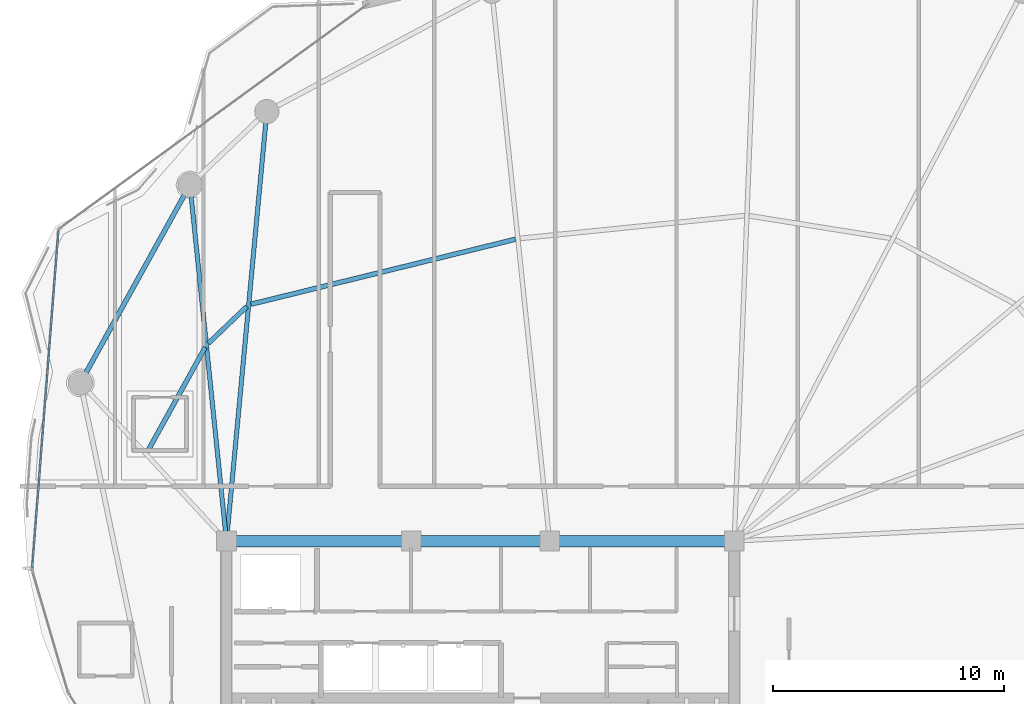
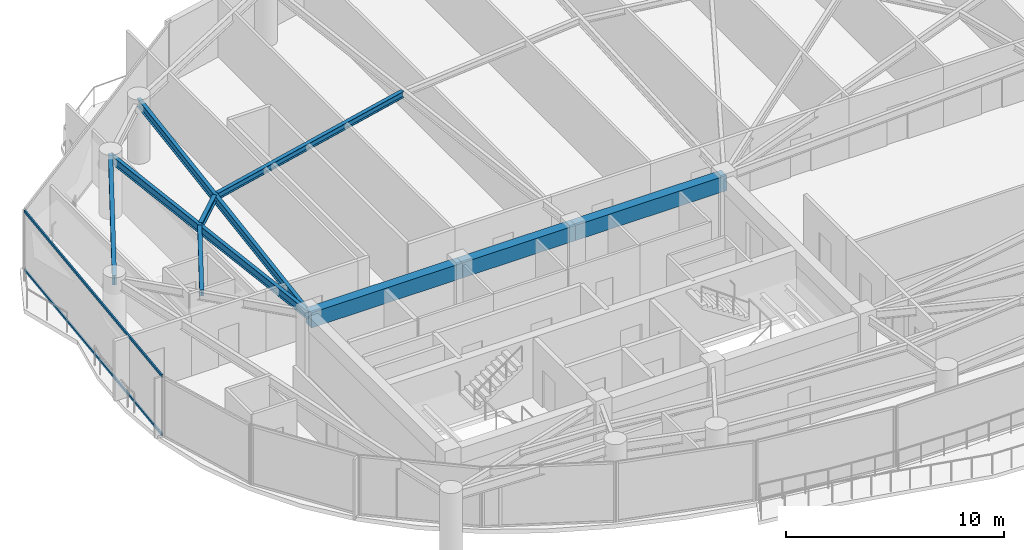
# One storey, part 9 of 31: 9 beams, 2 members, 1 element without a shape of its own.
"""IFC4 building model written with IfcOpenShell, lengths in metres."""

from ifc_helpers import new_model, si_unit, direction, frame, origin, origin_2d, place, context, subcontext, project, spatial, rectangle, hollow_rectangle, i_section, extrude, material, layer, layer_set, material_profile, profile_set, type_object, element, aggregate, save


model = new_model("IFC4")

# Units and contexts
model_context = context("Model", 3, precision=1e-05, world=origin(), true_north=direction((0.0, 1.0)))
body_context = subcontext(model_context, "Body", "Model", "MODEL_VIEW")
ifc_project = project(units=[si_unit("LENGTHUNIT", "METRE"), si_unit("AREAUNIT", "SQUARE_METRE"), si_unit("VOLUMEUNIT", "CUBIC_METRE"), si_unit("PLANEANGLEUNIT", "RADIAN"), si_unit("MASSUNIT", "GRAM", prefix="KILO")], contexts=[model_context])

# Site, building, storey
site_placement = place(None, origin())
site = spatial("IfcSite", under=ifc_project, at=site_placement, CompositionType="ELEMENT")
building_placement = place(site_placement, origin())
building = spatial("IfcBuilding", under=site, at=building_placement, Name="Kazevale Care Tower and Concert Hall", CompositionType="ELEMENT")
storey_placement = place(building_placement, frame((0.0, 0.0, 202.800048828125)))
storey = spatial("IfcBuildingStorey", under=building, at=storey_placement, Name="L53", CompositionType="ELEMENT", Elevation=202.800048828125)

# Curtain wall, members
ifc_material_1 = material(Name="Aluminium 6063-T6 and Low-E Glass", Category="aluminium")
ifc_layer = layer(ifc_material_1, 0.179931640625)
ifc_layer_set = layer_set([ifc_layer], Name="Aluminium 6063-T6 and Low-E Glass")
curtain_wall_type = type_object("IfcCurtainWallType", Name="Waist & Upper Residential Curtain Wall CW-4", PredefinedType="NOTDEFINED", material=ifc_layer_set)
curtain_wall_placement = place(storey_placement, origin())
curtain_wall = element("IfcCurtainWall", 1, at=curtain_wall_placement, inside=storey, type_object=curtain_wall_type, Name="cw:L53:f13", PredefinedType="NOTDEFINED")
ifc_material_2 = material(Name="Aluminium 6063-T6", Category="aluminium")
ifc_material_profile_1 = material_profile(ifc_material_2, hollow_rectangle(XDim=0.080078125, YDim=0.139892578125, WallThickness=0.00390625, at=origin_2d()), Name="ALU80x140x4")
ifc_profile_set_1 = profile_set([ifc_material_profile_1], Name="Aluminium 6063-T6")
member_type = type_object("IfcMemberType", Name="CW-4 Transom ALU80x140x4", PredefinedType="USERDEFINED", material=ifc_profile_set_1)
member_1_placement = place(storey_placement, frame((13.585205078125, 35.23681640625, 0.0400390625), z_axis=(0.077534740898, 0.996989650876, 0.0), x_axis=(-0.996989650876, 0.077534740898, 0.0)))
member_1 = element("IfcMember", 2, at=member_1_placement, type_object=member_type, Name="CW-4 transom 1.1", ObjectType="TRANSOM", PredefinedType="USERDEFINED", context=body_context, shape_type="SweptSolid", body=[
    extrude(hollow_rectangle(XDim=0.080078125, YDim=0.139892578125, WallThickness=0.00390625, at=origin_2d()), origin(), (0.0, 0.0, 1.0), 14.63232421875),
])
member_2_placement = place(storey_placement, frame((13.585205078125, 35.23681640625, 3.320068359375), z_axis=(0.077534740898, 0.996989650876, 0.0), x_axis=(-0.996989650876, 0.077534740898, 0.0)))
member_2 = element("IfcMember", 3, at=member_2_placement, type_object=member_type, Name="CW-4 transom 1.2", ObjectType="TRANSOM", PredefinedType="USERDEFINED", context=body_context, shape_type="SweptSolid", body=[
    extrude(hollow_rectangle(XDim=0.080078125, YDim=0.139892578125, WallThickness=0.00390625, at=origin_2d()), origin(), (0.0, 0.0, 1.0), 14.63232421875),
])
aggregate(curtain_wall, [member_1, member_2])

# Beams
ifc_material_3 = material(Name="Concrete C60", Category="concrete")
ifc_material_profile_2 = material_profile(ifc_material_3, rectangle(XDim=0.5, YDim=0.85009765625, at=origin_2d()), Name="RC-B500x850")
ifc_profile_set_2 = profile_set([ifc_material_profile_2], Name="Concrete C60")
beam_type_1 = type_object("IfcBeamType", Name="Core Coupling Beam RC500x850", PredefinedType="LINTEL", material=ifc_profile_set_2)
beam_1_placement = place(storey_placement, frame((44.0, 36.39990234375, 2.93505859375), z_axis=(-1.0, 0.0, 0.0), x_axis=(0.0, -1.0, 0.0)))
element("IfcBeam", 4, at=beam_1_placement, inside=storey, type_object=beam_type_1, Name="beam:L53:coretie:5", PredefinedType="LINTEL", context=body_context, shape_type="SweptSolid", body=[
    extrude(rectangle(XDim=0.5, YDim=0.85009765625, at=origin_2d()), origin(), (0.0, 0.0, 1.0), 8.0),
])
beam_2_placement = place(storey_placement, frame((36.0, 36.39990234375, 2.93505859375), z_axis=(-1.0, 0.0, 0.0), x_axis=(0.0, -1.0, 0.0)))
element("IfcBeam", 5, at=beam_2_placement, inside=storey, type_object=beam_type_1, Name="beam:L53:coretie:6", PredefinedType="LINTEL", context=body_context, shape_type="SweptSolid", body=[
    extrude(rectangle(XDim=0.5, YDim=0.85009765625, at=origin_2d()), origin(), (0.0, 0.0, 1.0), 6.0),
])
beam_3_placement = place(storey_placement, frame((30.0, 36.39990234375, 2.93505859375), z_axis=(-1.0, 0.0, 0.0), x_axis=(0.0, -1.0, 0.0)))
element("IfcBeam", 6, at=beam_3_placement, inside=storey, type_object=beam_type_1, Name="beam:L53:coretie:7", PredefinedType="LINTEL", context=body_context, shape_type="SweptSolid", body=[
    extrude(rectangle(XDim=0.5, YDim=0.85009765625, at=origin_2d()), origin(), (0.0, 0.0, 1.0), 8.0),
])
ifc_material_4 = material(Name="Steel ASTM A572 Gr 50", Category="steel")
ifc_material_profile_3 = material_profile(ifc_material_4, i_section(OverallWidth=0.19091796875, OverallDepth=0.4599609375, WebThickness=0.010009765625, FlangeThickness=0.01611328125, at=origin_2d()), Name="W460x82")
ifc_profile_set_3 = profile_set([ifc_material_profile_3], Name="Steel ASTM A572 Gr 50")
beam_type_2 = type_object("IfcBeamType", Name="Radial Floor Beam W460x82", PredefinedType="BEAM", material=ifc_profile_set_3)
beam_4_placement = place(storey_placement, frame((22.0, 36.39990234375, 3.1298828125), z_axis=(0.093621904075, 0.995607823933, 0.0), x_axis=(-0.995607823933, 0.093621904075, 0.0)))
element("IfcBeam", 7, at=beam_4_placement, inside=storey, type_object=beam_type_2, Name="beam:L53:rad:07", PredefinedType="BEAM", context=body_context, shape_type="SweptSolid", body=[
    extrude(i_section(OverallWidth=0.19091796875, OverallDepth=0.4599609375, WebThickness=0.010009765625, FlangeThickness=0.01611328125, at=origin_2d()), origin(), (0.0, 0.0, 1.0), 18.692138671875),
])
beam_5_placement = place(storey_placement, frame((22.0, 36.39990234375, 3.1298828125), z_axis=(-0.101869109083, 0.994797810922, 0.0), x_axis=(-0.994797810922, -0.101869109083, 0.0)))
element("IfcBeam", 8, at=beam_5_placement, inside=storey, type_object=beam_type_2, Name="beam:L53:rad:08", PredefinedType="BEAM", context=body_context, shape_type="SweptSolid", body=[
    extrude(i_section(OverallWidth=0.19091796875, OverallDepth=0.4599609375, WebThickness=0.010009765625, FlangeThickness=0.01611328125, at=origin_2d()), origin(), (0.0, 0.0, 1.0), 15.510986328125),
])
ifc_material_profile_4 = material_profile(ifc_material_4, i_section(OverallWidth=0.205078125, OverallDepth=0.35400390625, WebThickness=0.009521484375, FlangeThickness=0.016845703125, at=origin_2d()), Name="W360x79")
ifc_profile_set_4 = profile_set([ifc_material_profile_4], Name="Steel ASTM A572 Gr 50")
beam_type_3 = type_object("IfcBeamType", Name="Secondary Floor Joist W360x79", PredefinedType="JOIST", material=ifc_profile_set_4)
beam_6_placement = place(storey_placement, frame((34.52294921875, 49.47607421875, 3.182861328125), z_axis=(-0.971122715177, -0.238580535809, 0.0), x_axis=(0.238580535809, -0.971122715177, 0.0)))
element("IfcBeam", 9, at=beam_6_placement, inside=storey, type_object=beam_type_3, Name="beam:L53:joist:06", PredefinedType="JOIST", context=body_context, shape_type="SweptSolid", body=[
    extrude(i_section(OverallWidth=0.205078125, OverallDepth=0.35400390625, WebThickness=0.009521484375, FlangeThickness=0.016845703125, at=origin_2d()), origin(), (0.0, 0.0, 1.0), 11.7998046875),
])
beam_7_placement = place(storey_placement, frame((22.886962890625, 46.56298828125, 3.182861328125), z_axis=(-0.723262472539, -0.690573237114, 0.0), x_axis=(0.690573237114, -0.723262472539, 0.0)))
element("IfcBeam", 10, at=beam_7_placement, inside=storey, type_object=beam_type_3, Name="beam:L53:joist:07", PredefinedType="JOIST", context=body_context, shape_type="SweptSolid", body=[
    extrude(i_section(OverallWidth=0.205078125, OverallDepth=0.35400390625, WebThickness=0.009521484375, FlangeThickness=0.016845703125, at=origin_2d()), origin(), (0.0, 0.0, 1.0), 2.32275390625),
])
beam_8_placement = place(storey_placement, frame((21.080078125, 44.794921875, 3.182861328125), z_axis=(-0.484322963201, -0.874889288605, 0.0), x_axis=(0.874889288605, -0.484322963201, 0.0)))
element("IfcBeam", 11, at=beam_8_placement, inside=storey, type_object=beam_type_3, Name="beam:L53:joist:08", PredefinedType="JOIST", context=body_context, shape_type="SweptSolid", body=[
    extrude(i_section(OverallWidth=0.205078125, OverallDepth=0.35400390625, WebThickness=0.009521484375, FlangeThickness=0.016845703125, at=origin_2d()), origin(), (0.0, 0.0, 1.0), 5.1845703125),
])
ifc_material_profile_5 = material_profile(ifc_material_4, i_section(OverallWidth=0.208984375, OverallDepth=0.532958984375, WebThickness=0.01025390625, FlangeThickness=0.015625, at=origin_2d()), Name="W530x92")
ifc_profile_set_5 = profile_set([ifc_material_profile_5], Name="Steel ASTM A572 Gr 50")
beam_type_4 = type_object("IfcBeamType", Name="Upper Ring Beam W530x92", PredefinedType="BEAM", material=ifc_profile_set_5)
beam_9_placement = place(storey_placement, frame((20.419921875, 51.830078125, 3.093505859375), z_axis=(-0.484340382014, -0.874879645637, 0.0), x_axis=(0.874879645637, -0.484340382014, 0.0)))
element("IfcBeam", 12, at=beam_9_placement, inside=storey, type_object=beam_type_4, Name="beam:L53:ring:08", PredefinedType="BEAM", context=body_context, shape_type="SweptSolid", body=[
    extrude(i_section(OverallWidth=0.208984375, OverallDepth=0.532958984375, WebThickness=0.01025390625, FlangeThickness=0.015625, at=origin_2d()), origin(), (0.0, 0.0, 1.0), 9.80712890625),
])

save(model, "model.ifc")
